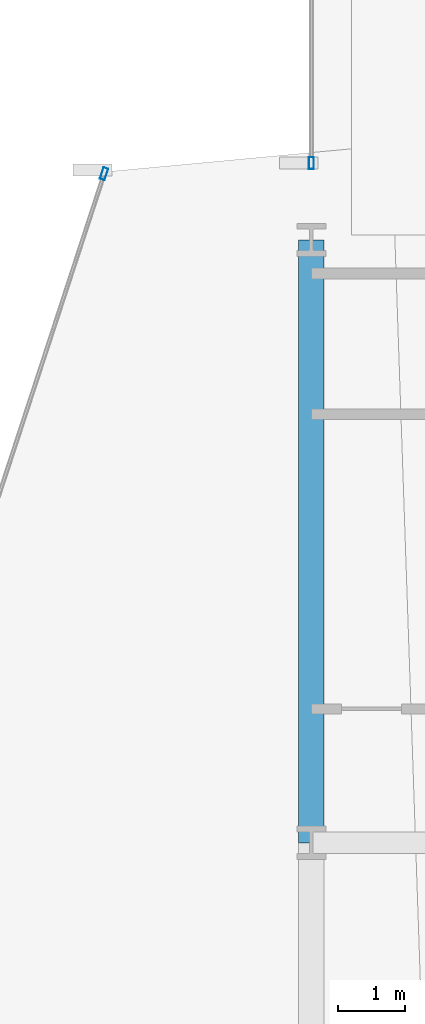
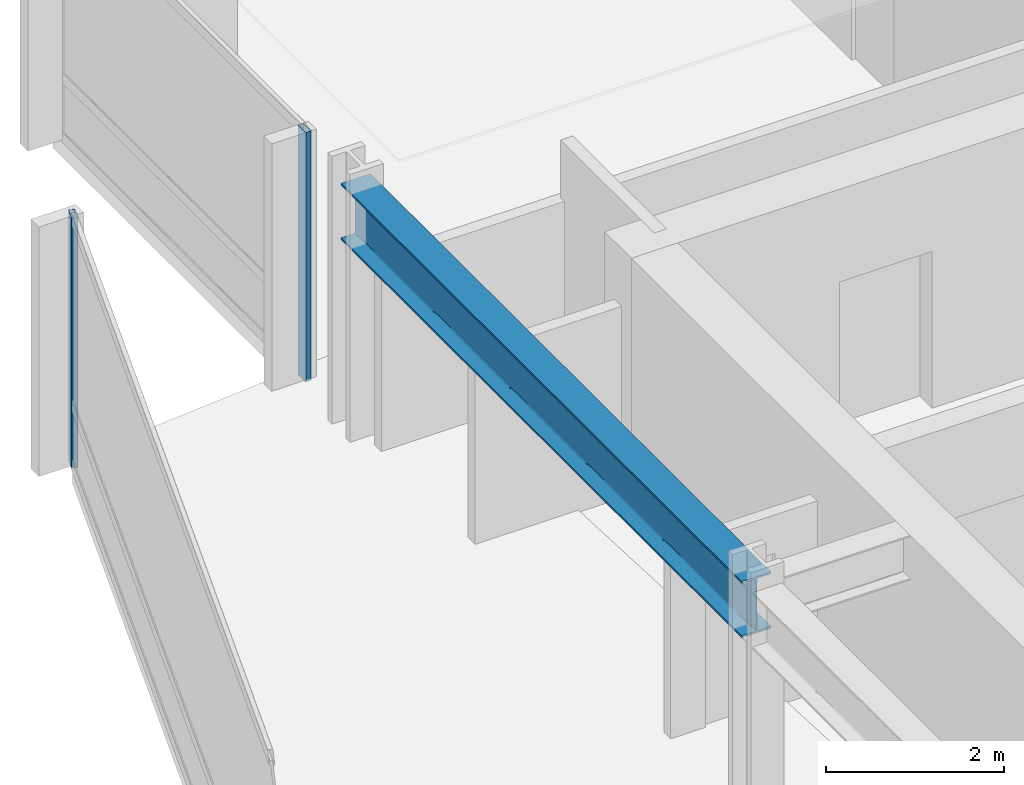
# One storey, part 19 of 34: 2 members, 1 beam, 2 elements without a shape of their own.
"""IFC4 building model written with IfcOpenShell, lengths in metres."""

from ifc_helpers import new_model, si_unit, direction, frame, origin, origin_2d, place, context, subcontext, project, spatial, hollow_rectangle, i_section, extrude, material, layer, layer_set, material_profile, profile_set, type_object, element, aggregate, save


model = new_model("IFC4")

# Units and contexts
model_context = context("Model", 3, precision=1e-05, world=origin(), true_north=direction((0.0, 1.0)))
body_context = subcontext(model_context, "Body", "Model", "MODEL_VIEW")
ifc_project = project(units=[si_unit("LENGTHUNIT", "METRE"), si_unit("AREAUNIT", "SQUARE_METRE"), si_unit("VOLUMEUNIT", "CUBIC_METRE"), si_unit("PLANEANGLEUNIT", "RADIAN"), si_unit("MASSUNIT", "GRAM", prefix="KILO")], contexts=[model_context])

# Site, building, storey
site_placement = place(None, origin())
site = spatial("IfcSite", under=ifc_project, at=site_placement, CompositionType="ELEMENT")
building_placement = place(site_placement, origin())
building = spatial("IfcBuilding", under=site, at=building_placement, Name="Solvaryn Broadcast Tower", CompositionType="ELEMENT")
storey_placement = place(building_placement, frame((0.0, 0.0, 58.199951171875)))
storey = spatial("IfcBuildingStorey", under=building, at=storey_placement, Name="L13", CompositionType="ELEMENT", Elevation=58.199951171875)

# Beam
ifc_material_1 = material(Name="Steel ASTM A992 Grade 50", Category="steel")
ifc_material_profile_1 = material_profile(ifc_material_1, i_section(OverallWidth=0.381103515625, OverallDepth=0.77294921875, WebThickness=0.0166015625, FlangeThickness=0.027099609375, FilletRadius=0.01806640625, at=origin_2d()))
ifc_profile_set_1 = profile_set([ifc_material_profile_1], Name="Steel ASTM A992 Grade 50")
beam_type = type_object("IfcBeamType", Name="BM-SP1-W30X173", PredefinedType="USERDEFINED", material=ifc_profile_set_1)
beam_placement = place(storey_placement, frame((9.0, 36.0, 3.033447265625), z_axis=(0.0, 1.0, 0.0), x_axis=(-1.0, 0.0, 0.0)))
element("IfcBeam", 1, at=beam_placement, inside=storey, type_object=beam_type, Name="L13 Spandrel Beam Y (36-45 @ X=9)", ObjectType="SPANDREL", PredefinedType="USERDEFINED", context=body_context, shape_type="SweptSolid", body=[
    extrude(i_section(OverallWidth=0.381103515625, OverallDepth=0.77294921875, WebThickness=0.0166015625, FlangeThickness=0.027099609375, FilletRadius=0.01806640625, at=origin_2d()), origin(), (0.0, 0.0, 1.0), 9.0),
])

# Curtain wall, member
ifc_material_2 = material(Name="Aluminium and Terracotta Unitised Curtain Wall", Category="masonry")
ifc_layer = layer(ifc_material_2, 0.199951171875)
ifc_layer_set = layer_set([ifc_layer], Name="CW-SYS2-LOWMID")
curtain_wall_type = type_object("IfcCurtainWallType", Name="CW-SYS2-LOWMID", PredefinedType="NOTDEFINED", material=ifc_layer_set)
curtain_wall_1_placement = place(storey_placement, origin())
curtain_wall_1 = element("IfcCurtainWall", 2, at=curtain_wall_1_placement, inside=storey, type_object=curtain_wall_type, Name="L13 Curtain Wall DR1", PredefinedType="NOTDEFINED")
ifc_material_3 = material(Name="Anodised Aluminium 6063-T6", Category="aluminium")
ifc_material_profile_2 = material_profile(ifc_material_3, hollow_rectangle(XDim=0.074951171875, YDim=0.179931640625, WallThickness=0.00390625, InnerFilletRadius=0.00390625, OuterFilletRadius=0.008056640625, at=origin_2d()))
ifc_profile_set_2 = profile_set([ifc_material_profile_2], Name="Anodised Aluminium 6063-T6")
member_type = type_object("IfcMemberType", Name="CW-MUL-180", PredefinedType="MULLION", material=ifc_profile_set_2)
member_1_placement = place(storey_placement, frame((5.90673828125, 45.987548828125, 0.0), z_axis=(0.0, 0.0, 1.0), x_axis=(0.950215318429, -0.311594044587, 0.0)))
member_1 = element("IfcMember", 3, at=member_1_placement, type_object=member_type, Name="CWS2 mullion 1", PredefinedType="MULLION", context=body_context, shape_type="SweptSolid", body=[
    extrude(hollow_rectangle(XDim=0.074951171875, YDim=0.179931640625, WallThickness=0.00390625, InnerFilletRadius=0.00390625, OuterFilletRadius=0.008056640625, at=origin_2d()), origin(), (0.0, 0.0, 1.0), 3.420166015625),
])
aggregate(curtain_wall_1, [member_1])

curtain_wall_2_placement = place(storey_placement, origin())
curtain_wall_2 = element("IfcCurtainWall", 4, at=curtain_wall_2_placement, inside=storey, type_object=curtain_wall_type, Name="L13 Curtain Wall W2", PredefinedType="NOTDEFINED")
member_2_placement = place(storey_placement, frame((9.0, 46.14599609375, 0.0), z_axis=(0.0, 0.0, 1.0), x_axis=(-1.0, 0.0, 0.0)))
member_2 = element("IfcMember", 5, at=member_2_placement, type_object=member_type, Name="CWS2 mullion 1", PredefinedType="MULLION", context=body_context, shape_type="SweptSolid", body=[
    extrude(hollow_rectangle(XDim=0.074951171875, YDim=0.179931640625, WallThickness=0.00390625, InnerFilletRadius=0.00390625, OuterFilletRadius=0.008056640625, at=origin_2d()), origin(), (0.0, 0.0, 1.0), 3.420166015625),
])
aggregate(curtain_wall_2, [member_2])

save(model, "model.ifc")
